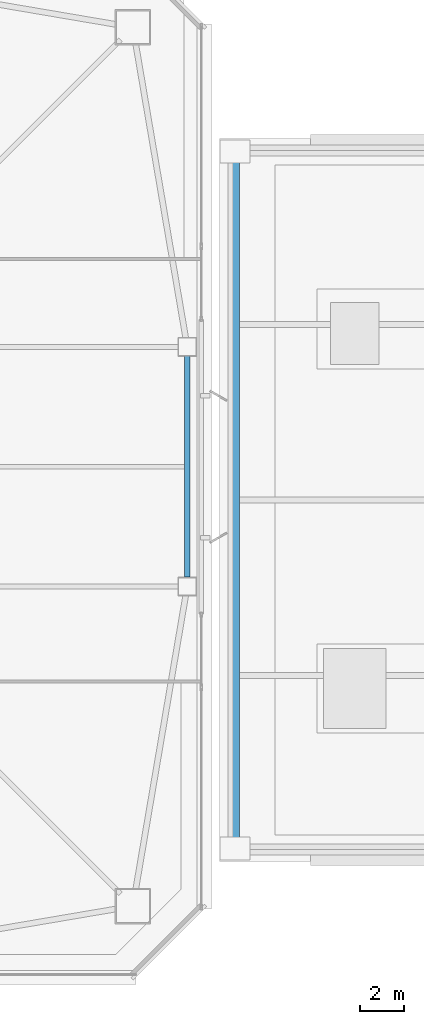
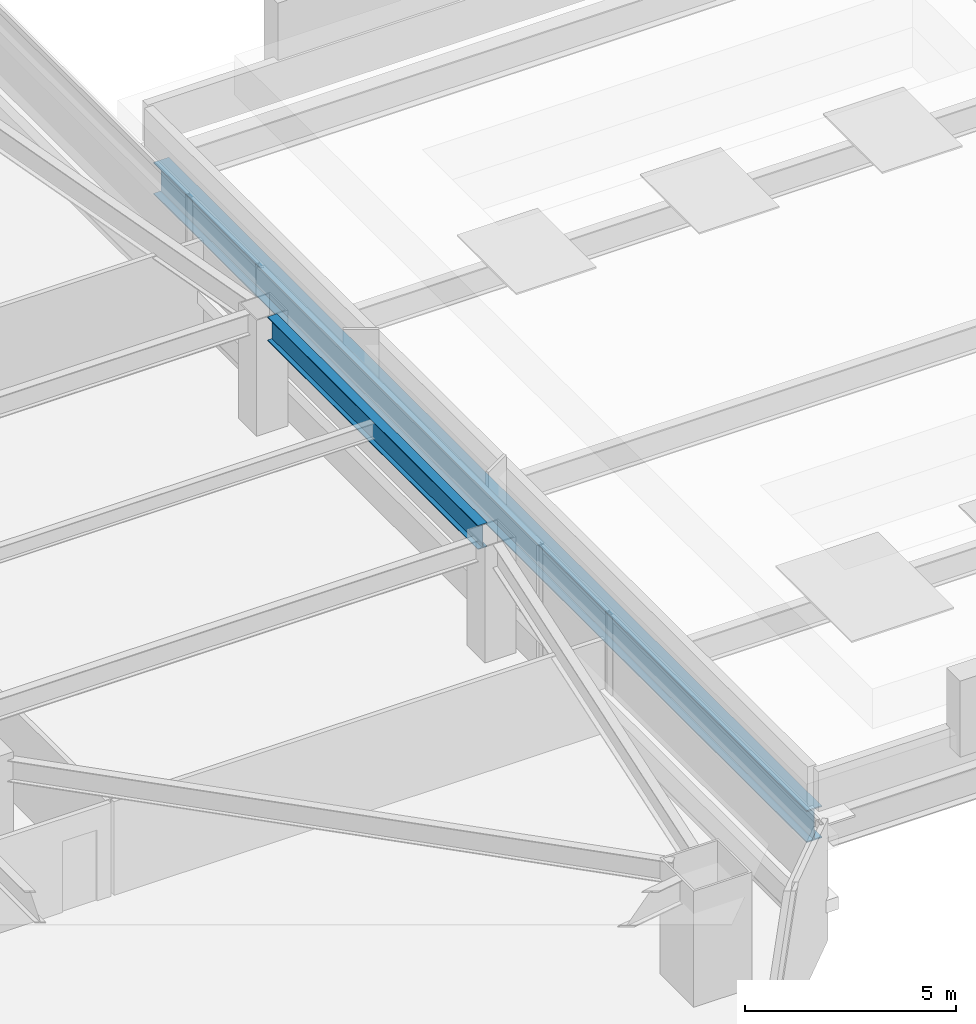
# One storey, part 12 of 62: 2 beams.
"""IFC4 building model written with IfcOpenShell, lengths in metres."""

from ifc_helpers import new_model, si_unit, direction, frame, origin, origin_2d, place, context, subcontext, project, spatial, i_section, extrude, material, material_profile, profile_set, type_object, element, save


model = new_model("IFC4")

# Units and contexts
model_context = context("Model", 3, precision=1e-05, world=origin(), true_north=direction((0.0, 1.0)))
body_context = subcontext(model_context, "Body", "Model", "MODEL_VIEW")
ifc_project = project(units=[si_unit("LENGTHUNIT", "METRE"), si_unit("AREAUNIT", "SQUARE_METRE"), si_unit("VOLUMEUNIT", "CUBIC_METRE"), si_unit("PLANEANGLEUNIT", "RADIAN"), si_unit("MASSUNIT", "GRAM", prefix="KILO")], contexts=[model_context])

# Site, building, storey
site_placement = place(None, origin())
site = spatial("IfcSite", under=ifc_project, at=site_placement, CompositionType="ELEMENT")
building_placement = place(site_placement, origin())
building = spatial("IfcBuilding", under=site, at=building_placement, Name="Tashvorn Skyway Center", CompositionType="ELEMENT")
storey_placement = place(building_placement, frame((0.0, 0.0, 28.14990234375)))
storey = spatial("IfcBuildingStorey", under=building, at=storey_placement, Name="L06", CompositionType="ELEMENT", Elevation=28.14990234375)

# Beams
ifc_material_1 = material(Name="Steel ASTM A913 Grade 65", Category="steel")
ifc_material_profile_1 = material_profile(ifc_material_1, i_section(OverallWidth=0.4189453125, OverallDepth=0.927001953125, WebThickness=0.019287109375, FlangeThickness=0.031982421875, at=origin_2d()), Name="W36X231")
ifc_profile_set_1 = profile_set([ifc_material_profile_1], Name="Steel ASTM A913 Grade 65")
beam_type_1 = type_object("IfcBeamType", Name="BM-BEAM-W36X231", PredefinedType="BEAM", material=ifc_profile_set_1)
beam_1_placement = place(storey_placement, frame((66.39990234375, 15.050048828125, 1.1865234375), z_axis=(0.0, 1.0, 0.0), x_axis=(-1.0, 0.0, 0.0)))
element("IfcBeam", 1, at=beam_1_placement, inside=storey, type_object=beam_type_1, Name="Concourse Monitor Longitudinal Girder 1", PredefinedType="BEAM", context=body_context, shape_type="SweptSolid", body=[
    extrude(i_section(OverallWidth=0.4189453125, OverallDepth=0.927001953125, WebThickness=0.019287109375, FlangeThickness=0.031982421875, at=origin_2d()), origin(), (0.0, 0.0, 1.0), 30.89990234375),
])
ifc_material_2 = material(Name="Steel ASTM A992 Grade 50", Category="steel")
ifc_material_profile_2 = material_profile(ifc_material_2, i_section(OverallWidth=0.256103515625, OverallDepth=0.693115234375, WebThickness=0.014404296875, FlangeThickness=0.023681640625, at=origin_2d()), Name="W27X114")
ifc_profile_set_2 = profile_set([ifc_material_profile_2], Name="Steel ASTM A992 Grade 50")
beam_type_2 = type_object("IfcBeamType", Name="BM-SPANDREL-W27X114", PredefinedType="SPANDREL", material=ifc_profile_set_2)
beam_2_placement = place(storey_placement, frame((64.25, 27.02001953125, 3.003662109375), z_axis=(0.0, 1.0, 0.0), x_axis=(-1.0, 0.0, 0.0)))
element("IfcBeam", 2, at=beam_2_placement, inside=storey, type_object=beam_type_2, Name="Tower 1 L06 Spandrel Beam 05", PredefinedType="SPANDREL", context=body_context, shape_type="SweptSolid", body=[
    extrude(i_section(OverallWidth=0.256103515625, OverallDepth=0.693115234375, WebThickness=0.014404296875, FlangeThickness=0.023681640625, at=origin_2d()), origin(), (0.0, 0.0, 1.0), 9.9599609375),
])

save(model, "model.ifc")
